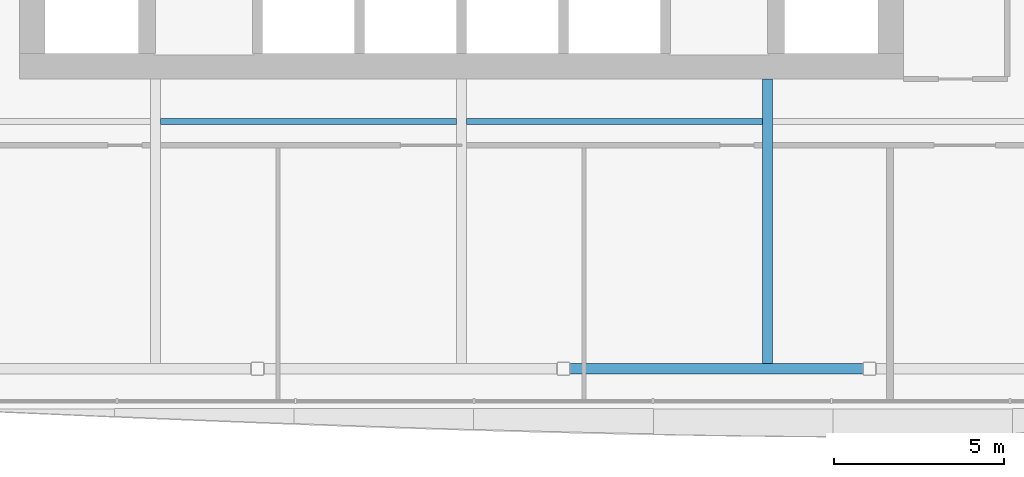
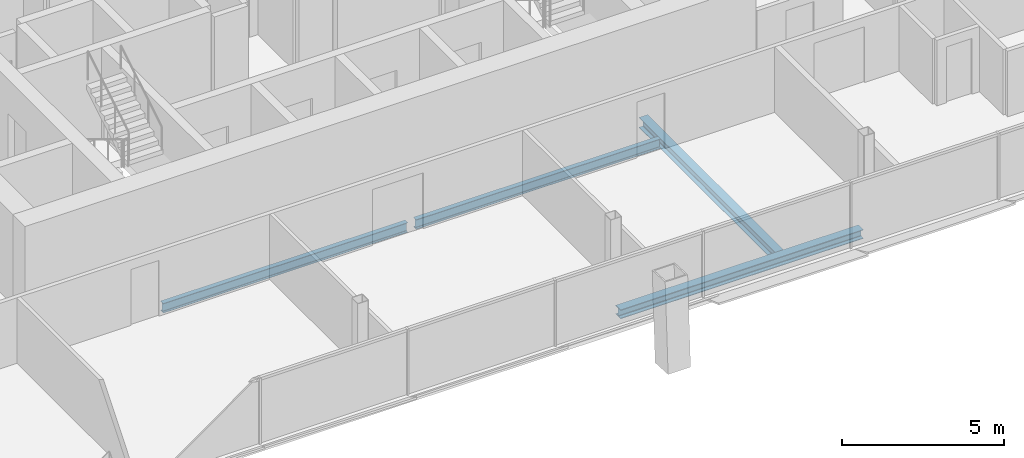
# One storey, part 4 of 17: 4 beams.
"""IFC4 building model written with IfcOpenShell, lengths in metres."""

from ifc_helpers import new_model, si_unit, direction, frame, origin, origin_2d, place, context, subcontext, project, spatial, i_section, extrude, material, material_profile, profile_set, type_object, element, save


model = new_model("IFC4")

# Units and contexts
model_context = context("Model", 3, precision=1e-05, world=origin(), true_north=direction((0.0, 1.0)))
body_context = subcontext(model_context, "Body", "Model", "MODEL_VIEW")
ifc_project = project(units=[si_unit("LENGTHUNIT", "METRE"), si_unit("AREAUNIT", "SQUARE_METRE"), si_unit("VOLUMEUNIT", "CUBIC_METRE"), si_unit("PLANEANGLEUNIT", "RADIAN"), si_unit("MASSUNIT", "GRAM", prefix="KILO")], contexts=[model_context])

# Site, building, storey
site_placement = place(None, origin())
site = spatial("IfcSite", under=ifc_project, at=site_placement, CompositionType="ELEMENT")
building_placement = place(site_placement, origin())
building = spatial("IfcBuilding", under=site, at=building_placement, Name="Tskaro Facet Tower", CompositionType="ELEMENT")
storey_placement = place(building_placement, frame((0.0, 0.0, 158.89990234375)))
storey = spatial("IfcBuildingStorey", under=building, at=storey_placement, Name="L39", CompositionType="ELEMENT", Elevation=158.89990234375)

# Beams
ifc_material = material(Name="Steel S355J2", Category="steel")
ifc_material_profile_1 = material_profile(ifc_material, i_section(OverallWidth=0.300048828125, OverallDepth=0.340087890625, WebThickness=0.011962890625, FlangeThickness=0.021484375, FilletRadius=0.027099609375, at=origin_2d()), Name="HE 340 B")
ifc_profile_set_1 = profile_set([ifc_material_profile_1], Name="Steel S355J2")
beam_type_1 = type_object("IfcBeamType", Name="HE 340 B ring beam", PredefinedType="BEAM", material=ifc_profile_set_1)
beam_1_placement = place(storey_placement, frame((3.179931640625, -20.77392578125, -0.309814453125), z_axis=(1.0, 0.0, 0.0), x_axis=(0.0, 1.0, 0.0)))
element("IfcBeam", 1, at=beam_1_placement, inside=storey, type_object=beam_type_1, Name="HE 340 B EB3-3", PredefinedType="BEAM", context=body_context, shape_type="SweptSolid", body=[
    extrude(i_section(OverallWidth=0.300048828125, OverallDepth=0.340087890625, WebThickness=0.011962890625, FlangeThickness=0.021484375, FilletRadius=0.027099609375, at=origin_2d()), origin(), (0.0, 0.0, 1.0), 8.64013671875),
])
ifc_material_profile_2 = material_profile(ifc_material, i_section(OverallWidth=0.300048828125, OverallDepth=0.389892578125, WebThickness=0.010986328125, FlangeThickness=0.01904296875, FilletRadius=0.027099609375, at=origin_2d()), Name="HE 400 A")
ifc_profile_set_2 = profile_set([ifc_material_profile_2], Name="Steel S355J2")
beam_type_2 = type_object("IfcBeamType", Name="HE 400 A girder", PredefinedType="BEAM", material=ifc_profile_set_2)
beam_2_placement = place(storey_placement, frame((9.0, -20.6240234375, -0.3349609375), z_axis=(0.0, 1.0, 0.0), x_axis=(-1.0, 0.0, 0.0)))
element("IfcBeam", 2, at=beam_2_placement, inside=storey, type_object=beam_type_2, Name="HE 400 A GB5-1-3", PredefinedType="BEAM", context=body_context, shape_type="SweptSolid", body=[
    extrude(i_section(OverallWidth=0.300048828125, OverallDepth=0.389892578125, WebThickness=0.010986328125, FlangeThickness=0.01904296875, FilletRadius=0.027099609375, at=origin_2d()), origin(), (0.0, 0.0, 1.0), 8.3740234375),
])
ifc_material_profile_3 = material_profile(ifc_material, i_section(OverallWidth=0.169921875, OverallDepth=0.360107421875, WebThickness=0.008056640625, FlangeThickness=0.0126953125, FilletRadius=0.01806640625, at=origin_2d()), Name="IPE 360")
ifc_profile_set_3 = profile_set([ifc_material_profile_3], Name="Steel S355J2")
beam_type_3 = type_object("IfcBeamType", Name="IPE 360 secondary beam", PredefinedType="BEAM", material=ifc_profile_set_3)
for number, where, z_axis, x_axis, name in (
    (3, (-8.85009765625, -13.5, -0.31982421875), (1.0, 0.0, 0.0), (0.0, 1.0, 0.0), "IPE 360 SB2a-2-3"),
    (4, (0.14990234375, -13.5, -0.31982421875), (1.0, 0.0, 0.0), (0.0, 1.0, 0.0), "IPE 360 SB2a-3-3"),
):
    element("IfcBeam", number, at=place(storey_placement, frame(where, z_axis=z_axis, x_axis=x_axis)), inside=storey, type_object=beam_type_3, Name=name, PredefinedType="BEAM", context=body_context, shape_type="SweptSolid", body=[
        extrude(i_section(OverallWidth=0.169921875, OverallDepth=0.360107421875, WebThickness=0.008056640625, FlangeThickness=0.0126953125, FilletRadius=0.01806640625, at=origin_2d()), origin(), (0.0, 0.0, 1.0), 8.7001953125),
    ])

save(model, "model.ifc")
